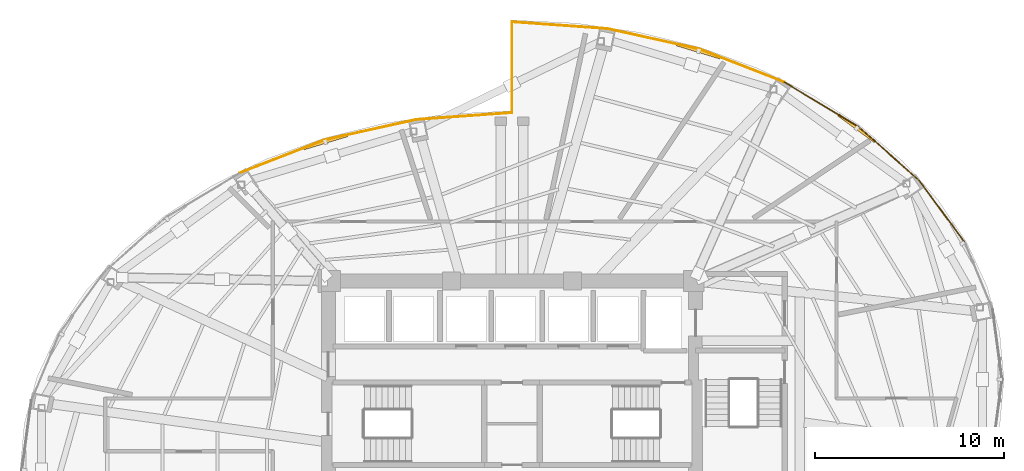
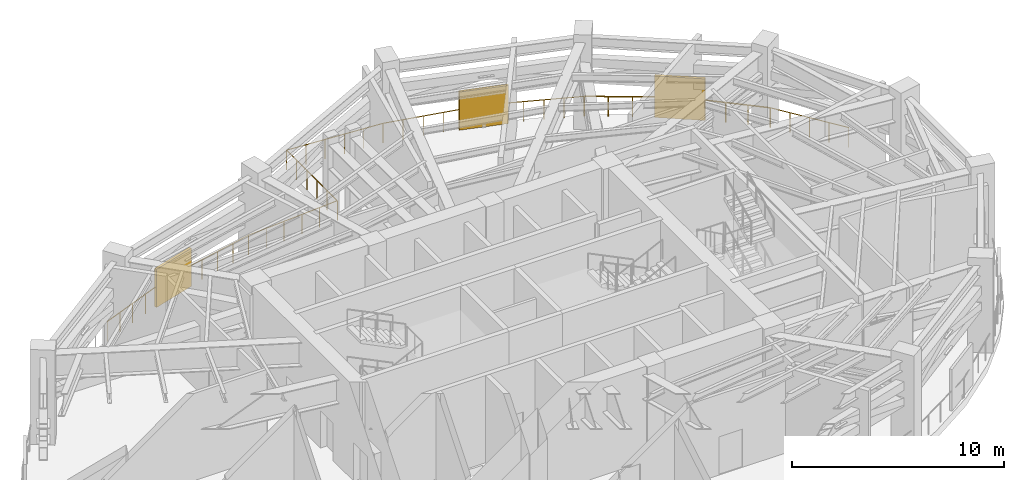
# One storey, part 12 of 12: 10 railings, 3 shading devices.
"""IFC4 building model written with IfcOpenShell, lengths in metres."""

import ifcopenshell
import ifcopenshell.guid

model = None  # the IFC model being written
_history = None  # IfcOwnerHistory: only IFC2X3 demands one
_inside = {}  # id of a spatial element -> (the spatial element, [elements in it])
_under = {}  # id of a project, library or spatial element -> (it, [spatial elements below it])
_declared = {}  # id of a project -> (the project, [libraries it declares])
_typed = {}  # id of a type object -> (the type object, [elements of that type])
_made_of = {}  # id of a material, layer set ... -> (it, [elements and type objects made of it])


def new_model(schema):
    """Start an empty IFC model of exactly this schema.

    Asked for "IFC4X3", IfcOpenShell would pick the latest addendum, in which some entities
    have other attributes; the version numbers below select the first issue.
    IFC2X3 requires an IfcOwnerHistory on every rooted entity: one is made here for all.
    """
    global model, _history
    if schema == "IFC4X3":
        model = ifcopenshell.file(schema_version=(4, 3, 0, 0))
    else:
        model = ifcopenshell.file(schema=schema)
    _inside.clear()
    _under.clear()
    _declared.clear()
    _typed.clear()
    _made_of.clear()
    _history = None
    if model.schema == "IFC2X3":
        org = make("IfcOrganization", Name="unknown")
        user = make(
            "IfcPersonAndOrganization",
            ThePerson=make("IfcPerson", FamilyName="unknown"),
            TheOrganization=org,
        )
        app = make(
            "IfcApplication",
            ApplicationDeveloper=org,
            Version="unknown",
            ApplicationFullName="unknown",
            ApplicationIdentifier="unknown",
        )
        _history = make(
            "IfcOwnerHistory",
            OwningUser=user,
            OwningApplication=app,
            ChangeAction="ADDED",
            CreationDate=0,
        )
    return model


def make(cls, **values):
    """One entity of the class cls with the attributes given. An attribute that is None is left unset."""
    return model.create_entity(
        cls, **{name: value for name, value in values.items() if value is not None}
    )


def rooted(cls, **values):
    """An entity with a GlobalId (a new one), such as an element, a storey or a relation."""
    return make(cls, GlobalId=ifcopenshell.guid.new(), OwnerHistory=_history, **values)


def si_unit(unit_type, name, prefix=None):
    """IfcSIUnit, for example si_unit("LENGTHUNIT", "METRE", prefix="MILLI")."""
    return make("IfcSIUnit", UnitType=unit_type, Prefix=prefix, Name=name)


def assignment(units):
    """IfcUnitAssignment: the units of a project."""
    return None if units is None else make("IfcUnitAssignment", Units=units)


def point(xyz):
    """IfcCartesianPoint."""
    return None if xyz is None else make("IfcCartesianPoint", Coordinates=xyz)


def direction(xyz):
    """IfcDirection."""
    return None if xyz is None else make("IfcDirection", DirectionRatios=xyz)


def frame(location, z_axis=None, x_axis=None):
    """IfcAxis2Placement3D, a coordinate frame: its origin and axes. An axis left out is left unset."""
    return make(
        "IfcAxis2Placement3D",
        Location=point(location),
        Axis=direction(z_axis),
        RefDirection=direction(x_axis),
    )


def frame_2d(location, x_axis=None):
    """IfcAxis2Placement2D, a coordinate frame in the plane: its origin and x axis."""
    return make(
        "IfcAxis2Placement2D", Location=point(location), RefDirection=direction(x_axis)
    )


def origin():
    """The frame at (0, 0, 0) with its axes left unset."""
    return frame((0.0, 0.0, 0.0))


def origin_2d():
    """The frame at (0, 0) in the plane with its x axis left unset."""
    return frame_2d((0.0, 0.0))


def place(relative_to, where):
    """IfcLocalPlacement: puts the frame where relative to a parent placement (None: the world)."""
    return make(
        "IfcLocalPlacement", PlacementRelTo=relative_to, RelativePlacement=where
    )


def context(
    kind, dimensions, precision=None, world=None, true_north=None, identifier=None
):
    """IfcGeometricRepresentationContext, for example the 3D "Model" context."""
    return make(
        "IfcGeometricRepresentationContext",
        ContextIdentifier=identifier,
        ContextType=kind,
        CoordinateSpaceDimension=dimensions,
        Precision=precision,
        WorldCoordinateSystem=world,
        TrueNorth=true_north,
    )


def subcontext(parent, identifier, kind, view, scale=None):
    """IfcGeometricRepresentationSubContext, for example "Body" below "Model"."""
    return make(
        "IfcGeometricRepresentationSubContext",
        ContextIdentifier=identifier,
        ContextType=kind,
        ParentContext=parent,
        TargetScale=scale,
        TargetView=view,
    )


def project(units=None, contexts=None):
    """IfcProject with its units and contexts."""
    return rooted(
        "IfcProject",
        Name="project",
        RepresentationContexts=contexts,
        UnitsInContext=assignment(units),
    )


def spatial(cls, under=None, at=None, **own):
    """A site, building, storey or space (cls), placed at a placement, below another one or the project."""
    s = rooted(cls, ObjectPlacement=at, **own)
    if under is not None:
        _under.setdefault(under.id(), (under, []))[1].append(s)
    return s


def profile(cls, at=None, kind="AREA", **sizes):
    """A parametric profile (cls). Its sizes go by their IFC names, for example OverallWidth=200.0."""
    return make(cls, ProfileType=kind, Position=at, **sizes)


def rectangle(**sizes):
    """IfcRectangleProfileDef."""
    return profile("IfcRectangleProfileDef", **sizes)


def circle(**sizes):
    """IfcCircleProfileDef."""
    return profile("IfcCircleProfileDef", **sizes)


def extrude(swept, where, along, depth):
    """IfcExtrudedAreaSolid: the profile swept, set in the frame where, extruded along a direction by depth."""
    return make(
        "IfcExtrudedAreaSolid",
        SweptArea=swept,
        Position=where,
        ExtrudedDirection=direction(along),
        Depth=depth,
    )


def shape(context_of_items, identifier, shape_type, items):
    """IfcShapeRepresentation: the items that make up one representation, for example the "Body"."""
    return make(
        "IfcShapeRepresentation",
        ContextOfItems=context_of_items,
        RepresentationIdentifier=identifier,
        RepresentationType=shape_type,
        Items=items,
    )


def material(Name=None, Category=None):
    """IfcMaterial."""
    return make("IfcMaterial", Name=Name, Category=Category)


def made_of(thing, what):
    """Note that an element or type object is made of a material, layer set ...; save() writes the relation."""
    if what is not None:
        _made_of.setdefault(what.id(), (what, []))[1].append(thing)
    return thing


def type_object(cls, material=None, **own):
    """A type object (cls), such as IfcWallType, which elements share."""
    return made_of(rooted(cls, **own), material)


def element(
    cls,
    number,
    at=None,
    inside=None,
    cuts=None,
    type_object=None,
    material=None,
    context=None,
    identifier="Body",
    shape_type=None,
    held_by="IfcProductDefinitionShape",
    body=None,
    shapes=None,
    **own,
):
    """One element of the class cls, such as IfcWall. Its Tag is "e" and its number.

    at: its placement. inside: the storey or other place that contains it. cuts: it is an
    opening in that element (IfcRelVoidsElement). A single representation is given by context,
    identifier, shape_type and body (its items); several are given by shapes. held_by: the class
    of the entity that holds the representations. save() writes the other relations.
    """
    e = rooted(cls, Tag="e%d" % number, ObjectPlacement=at, **own)
    if body is not None:
        shapes = [shape(context, identifier, shape_type, body)]
    if shapes is not None:
        e.Representation = make(held_by, Representations=shapes)
    if inside is not None:
        _inside.setdefault(inside.id(), (inside, []))[1].append(e)
    if cuts is not None:
        rooted(
            "IfcRelVoidsElement", RelatingBuildingElement=cuts, RelatedOpeningElement=e
        )
    if type_object is not None:
        _typed.setdefault(type_object.id(), (type_object, []))[1].append(e)
    return made_of(e, material)


def aggregate(whole, parts):
    """IfcRelAggregates: a whole, such as a stair, and the parts it consists of."""
    return rooted("IfcRelAggregates", RelatingObject=whole, RelatedObjects=parts)


def save(model, path):
    """Write the relations noted so far, then the file.

    IfcRelAggregates (storeys below a building ...), IfcRelContainedInSpatialStructure (elements
    in a storey), IfcRelDefinesByType, IfcRelAssociatesMaterial and IfcRelDeclares: one each for
    every whole, place, type object, material and project.
    """
    for whole, parts in _under.values():
        aggregate(whole, parts)
    for where, things in _inside.values():
        rooted(
            "IfcRelContainedInSpatialStructure",
            RelatedElements=things,
            RelatingStructure=where,
        )
    for kind, things in _typed.values():
        rooted("IfcRelDefinesByType", RelatedObjects=things, RelatingType=kind)
    for what, things in _made_of.values():
        rooted("IfcRelAssociatesMaterial", RelatedObjects=things, RelatingMaterial=what)
    for by, libraries in _declared.values():
        rooted("IfcRelDeclares", RelatingContext=by, RelatedDefinitions=libraries)
    model.write(path)


model = new_model("IFC4")

# Units and contexts
model_context = context("Model", 3, precision=1e-05, world=origin(), true_north=direction((0.0, 1.0)))
body_context = subcontext(model_context, "Body", "Model", "MODEL_VIEW")
ifc_project = project(units=[si_unit("LENGTHUNIT", "METRE"), si_unit("AREAUNIT", "SQUARE_METRE"), si_unit("VOLUMEUNIT", "CUBIC_METRE"), si_unit("PLANEANGLEUNIT", "RADIAN"), si_unit("MASSUNIT", "GRAM", prefix="KILO")], contexts=[model_context])

# Site, building, storey
site_placement = place(None, origin())
site = spatial("IfcSite", under=ifc_project, at=site_placement, CompositionType="ELEMENT")
building_placement = place(site_placement, origin())
building = spatial("IfcBuilding", under=site, at=building_placement, Name="Lazwardi Medical Tower", CompositionType="ELEMENT")
storey_placement = place(building_placement, frame((0.0, 0.0, 132.81591796875)))
storey = spatial("IfcBuildingStorey", under=building, at=storey_placement, Name="L34", CompositionType="ELEMENT", Elevation=132.81591796875)

# Railings
ifc_material_1 = material(Name="Anodised bronze aluminium", Category="aluminium")
railing_type = type_object("IfcRailingType", Name="RLG-BAL-1100", PredefinedType="BALUSTRADE", material=ifc_material_1)
railing_1_placement = place(storey_placement, frame((59.928466796875, 37.6328125, 0.0)))
element("IfcRailing", 1, at=railing_1_placement, inside=storey, type_object=railing_type, Name="L34 Refuge Band Perimeter Balustrade 11", PredefinedType="BALUSTRADE", context=body_context, shape_type="SweptSolid", body=[
    extrude(circle(Radius=0.02392578125, at=origin_2d()), frame((0.0, 0.0, 1.1259765625), z_axis=(-0.590895807356, 0.806747881837, 0.0), x_axis=(-0.806747881837, -0.590895807356, 0.0)), (0.0, 0.0, 1.0), 4.05029296875),
    extrude(circle(Radius=0.02099609375, at=origin_2d()), origin(), (0.0, 0.0, 1.0), 1.099853515625),
    extrude(circle(Radius=0.02099609375, at=origin_2d()), frame((-0.598388671875, 0.81689453125, 0.0)), (0.0, 0.0, 1.0), 1.099853515625),
    extrude(circle(Radius=0.02099609375, at=origin_2d()), frame((-1.19677734375, 1.6337890625, 0.0)), (0.0, 0.0, 1.0), 1.099853515625),
    extrude(circle(Radius=0.02099609375, at=origin_2d()), frame((-1.794921875, 2.45068359375, 0.0)), (0.0, 0.0, 1.0), 1.099853515625),
    extrude(circle(Radius=0.02099609375, at=origin_2d()), frame((-2.393310546875, 3.267578125, 0.0)), (0.0, 0.0, 1.0), 1.099853515625),
])
railing_2_placement = place(storey_placement, frame((57.53515625, 40.900390625, 0.0)))
element("IfcRailing", 2, at=railing_2_placement, inside=storey, type_object=railing_type, Name="L34 Refuge Band Perimeter Balustrade 12", PredefinedType="BALUSTRADE", context=body_context, shape_type="SweptSolid", body=[
    extrude(circle(Radius=0.02392578125, at=origin_2d()), frame((0.0, 0.0, 1.1259765625), z_axis=(-0.747299927675, 0.664486883314, 0.0), x_axis=(-0.664486883314, -0.747299927675, 0.0)), (0.0, 0.0, 1.0), 4.31005859375),
    extrude(circle(Radius=0.02099609375, at=origin_2d()), origin(), (0.0, 0.0, 1.0), 1.099853515625),
    extrude(circle(Radius=0.02099609375, at=origin_2d()), frame((-0.80517578125, 0.716064453125, 0.0)), (0.0, 0.0, 1.0), 1.099853515625),
    extrude(circle(Radius=0.02099609375, at=origin_2d()), frame((-1.6103515625, 1.43212890625, 0.0)), (0.0, 0.0, 1.0), 1.099853515625),
    extrude(circle(Radius=0.02099609375, at=origin_2d()), frame((-2.415771484375, 2.14794921875, 0.0)), (0.0, 0.0, 1.0), 1.099853515625),
    extrude(circle(Radius=0.02099609375, at=origin_2d()), frame((-3.220947265625, 2.864013671875, 0.0)), (0.0, 0.0, 1.0), 1.099853515625),
])
railing_3_placement = place(storey_placement, frame((54.314208984375, 43.764404296875, 0.0)))
element("IfcRailing", 3, at=railing_3_placement, inside=storey, type_object=railing_type, Name="L34 Refuge Band Perimeter Balustrade 13", PredefinedType="BALUSTRADE", context=body_context, shape_type="SweptSolid", body=[
    extrude(circle(Radius=0.02392578125, at=origin_2d()), frame((0.0, 0.0, 1.1259765625), z_axis=(-0.857930539763, 0.513765694594, 0.0), x_axis=(-0.513765694594, -0.857930539763, 0.0)), (0.0, 0.0, 1.0), 4.57470703125),
    extrude(circle(Radius=0.02099609375, at=origin_2d()), origin(), (0.0, 0.0, 1.0), 1.099853515625),
    extrude(circle(Radius=0.02099609375, at=origin_2d()), frame((-0.981201171875, 0.587646484375, 0.0)), (0.0, 0.0, 1.0), 1.099853515625),
    extrude(circle(Radius=0.02099609375, at=origin_2d()), frame((-1.96240234375, 1.17529296875, 0.0)), (0.0, 0.0, 1.0), 1.099853515625),
    extrude(circle(Radius=0.02099609375, at=origin_2d()), frame((-2.943603515625, 1.7626953125, 0.0)), (0.0, 0.0, 1.0), 1.099853515625),
    extrude(circle(Radius=0.02099609375, at=origin_2d()), frame((-3.9248046875, 2.350341796875, 0.0)), (0.0, 0.0, 1.0), 1.099853515625),
])
railing_4_placement = place(storey_placement, frame((50.389404296875, 46.11474609375, 0.0)))
element("IfcRailing", 4, at=railing_4_placement, inside=storey, type_object=railing_type, Name="L34 Refuge Band Perimeter Balustrade 14", PredefinedType="BALUSTRADE", context=body_context, shape_type="SweptSolid", body=[
    extrude(circle(Radius=0.02392578125, at=origin_2d()), frame((0.0, 0.0, 1.1259765625), z_axis=(-0.93163718725, 0.363389806313, 0.0), x_axis=(-0.363389806313, -0.93163718725, 0.0)), (0.0, 0.0, 1.0), 4.806396484375),
    extrude(circle(Radius=0.02099609375, at=origin_2d()), origin(), (0.0, 0.0, 1.0), 1.099853515625),
    extrude(circle(Radius=0.02099609375, at=origin_2d()), frame((-0.8955078125, 0.349365234375, 0.0)), (0.0, 0.0, 1.0), 1.099853515625),
    extrude(circle(Radius=0.02099609375, at=origin_2d()), frame((-1.791015625, 0.69873046875, 0.0)), (0.0, 0.0, 1.0), 1.099853515625),
    extrude(circle(Radius=0.02099609375, at=origin_2d()), frame((-2.686767578125, 1.0478515625, 0.0)), (0.0, 0.0, 1.0), 1.099853515625),
    extrude(circle(Radius=0.02099609375, at=origin_2d()), frame((-3.582275390625, 1.397216796875, 0.0)), (0.0, 0.0, 1.0), 1.099853515625),
    extrude(circle(Radius=0.02099609375, at=origin_2d()), frame((-4.477783203125, 1.74658203125, 0.0)), (0.0, 0.0, 1.0), 1.099853515625),
])
railing_5_placement = place(storey_placement, frame((45.91162109375, 47.861328125, 0.0)))
element("IfcRailing", 5, at=railing_5_placement, inside=storey, type_object=railing_type, Name="L34 Refuge Band Perimeter Balustrade 15", PredefinedType="BALUSTRADE", context=body_context, shape_type="SweptSolid", body=[
    extrude(circle(Radius=0.02392578125, at=origin_2d()), frame((0.0, 0.0, 1.1259765625), z_axis=(-0.976370248797, 0.216104459147, 0.0), x_axis=(-0.216104459147, -0.976370248797, 0.0)), (0.0, 0.0, 1.0), 4.9765625),
    extrude(circle(Radius=0.02099609375, at=origin_2d()), origin(), (0.0, 0.0, 1.0), 1.099853515625),
    extrude(circle(Radius=0.02099609375, at=origin_2d()), frame((-0.9716796875, 0.215087890625, 0.0)), (0.0, 0.0, 1.0), 1.099853515625),
    extrude(circle(Radius=0.02099609375, at=origin_2d()), frame((-1.943603515625, 0.43017578125, 0.0)), (0.0, 0.0, 1.0), 1.099853515625),
    extrude(circle(Radius=0.02099609375, at=origin_2d()), frame((-2.915283203125, 0.645263671875, 0.0)), (0.0, 0.0, 1.0), 1.099853515625),
    extrude(circle(Radius=0.02099609375, at=origin_2d()), frame((-3.88720703125, 0.8603515625, 0.0)), (0.0, 0.0, 1.0), 1.099853515625),
    extrude(circle(Radius=0.02099609375, at=origin_2d()), frame((-4.85888671875, 1.075439453125, 0.0)), (0.0, 0.0, 1.0), 1.099853515625),
])
railing_6_placement = place(storey_placement, frame((41.052734375, 48.936767578125, 0.0)))
element("IfcRailing", 6, at=railing_6_placement, inside=storey, type_object=railing_type, Name="L34 Refuge Band Perimeter Balustrade 16", PredefinedType="BALUSTRADE", context=body_context, shape_type="SweptSolid", body=[
    extrude(circle(Radius=0.02392578125, at=origin_2d()), frame((0.0, 0.0, 1.1259765625), z_axis=(-0.997425320011, 0.071712837078, 0.0), x_axis=(-0.071712837078, -0.997425320011, 0.0)), (0.0, 0.0, 1.0), 5.065673828125),
    extrude(circle(Radius=0.02099609375, at=origin_2d()), origin(), (0.0, 0.0, 1.0), 1.099853515625),
    extrude(circle(Radius=0.02099609375, at=origin_2d()), frame((-1.010498046875, 0.07275390625, 0.0)), (0.0, 0.0, 1.0), 1.099853515625),
    extrude(circle(Radius=0.02099609375, at=origin_2d()), frame((-2.02099609375, 0.145263671875, 0.0)), (0.0, 0.0, 1.0), 1.099853515625),
    extrude(circle(Radius=0.02099609375, at=origin_2d()), frame((-3.03173828125, 0.218017578125, 0.0)), (0.0, 0.0, 1.0), 1.099853515625),
    extrude(circle(Radius=0.02099609375, at=origin_2d()), frame((-4.042236328125, 0.29052734375, 0.0)), (0.0, 0.0, 1.0), 1.099853515625),
    extrude(circle(Radius=0.02099609375, at=origin_2d()), frame((-5.052734375, 0.36328125, 0.0)), (0.0, 0.0, 1.0), 1.099853515625),
])
railing_7_placement = place(storey_placement, frame((36.0, 49.300048828125, 0.0)))
element("IfcRailing", 7, at=railing_7_placement, inside=storey, type_object=railing_type, Name="L34 Refuge Band Perimeter Balustrade 17", PredefinedType="BALUSTRADE", context=body_context, shape_type="SweptSolid", body=[
    extrude(circle(Radius=0.02392578125, at=origin_2d()), frame((0.0, 0.0, 1.1259765625), z_axis=(0.0, -1.0, 0.0), x_axis=(1.0, 0.0, 0.0)), (0.0, 0.0, 1.0), 4.800048828125),
    extrude(circle(Radius=0.02099609375, at=origin_2d()), origin(), (0.0, 0.0, 1.0), 1.099853515625),
    extrude(circle(Radius=0.02099609375, at=origin_2d()), frame((0.0, -0.9599609375, 0.0)), (0.0, 0.0, 1.0), 1.099853515625),
    extrude(circle(Radius=0.02099609375, at=origin_2d()), frame((0.0, -1.919921875, 0.0)), (0.0, 0.0, 1.0), 1.099853515625),
    extrude(circle(Radius=0.02099609375, at=origin_2d()), frame((0.0, -2.880126953125, 0.0)), (0.0, 0.0, 1.0), 1.099853515625),
    extrude(circle(Radius=0.02099609375, at=origin_2d()), frame((0.0, -3.840087890625, 0.0)), (0.0, 0.0, 1.0), 1.099853515625),
    extrude(circle(Radius=0.02099609375, at=origin_2d()), frame((0.0, -4.800048828125, 0.0)), (0.0, 0.0, 1.0), 1.099853515625),
])
railing_8_placement = place(storey_placement, frame((36.0, 44.5, 0.0)))
element("IfcRailing", 8, at=railing_8_placement, inside=storey, type_object=railing_type, Name="L34 Refuge Band Perimeter Balustrade 18", PredefinedType="BALUSTRADE", context=body_context, shape_type="SweptSolid", body=[
    extrude(circle(Radius=0.02392578125, at=origin_2d()), frame((0.0, 0.0, 1.1259765625), z_axis=(-0.997425320011, -0.071712837078, 0.0), x_axis=(0.071712837078, -0.997425320011, 0.0)), (0.0, 0.0, 1.0), 5.065673828125),
    extrude(circle(Radius=0.02099609375, at=origin_2d()), origin(), (0.0, 0.0, 1.0), 1.099853515625),
    extrude(circle(Radius=0.02099609375, at=origin_2d()), frame((-1.010498046875, -0.07275390625, 0.0)), (0.0, 0.0, 1.0), 1.099853515625),
    extrude(circle(Radius=0.02099609375, at=origin_2d()), frame((-2.02099609375, -0.145263671875, 0.0)), (0.0, 0.0, 1.0), 1.099853515625),
    extrude(circle(Radius=0.02099609375, at=origin_2d()), frame((-3.03173828125, -0.218017578125, 0.0)), (0.0, 0.0, 1.0), 1.099853515625),
    extrude(circle(Radius=0.02099609375, at=origin_2d()), frame((-4.042236328125, -0.29052734375, 0.0)), (0.0, 0.0, 1.0), 1.099853515625),
    extrude(circle(Radius=0.02099609375, at=origin_2d()), frame((-5.052734375, -0.36328125, 0.0)), (0.0, 0.0, 1.0), 1.099853515625),
])
railing_9_placement = place(storey_placement, frame((30.947265625, 44.13671875, 0.0)))
element("IfcRailing", 9, at=railing_9_placement, inside=storey, type_object=railing_type, Name="L34 Refuge Band Perimeter Balustrade 19", PredefinedType="BALUSTRADE", context=body_context, shape_type="SweptSolid", body=[
    extrude(circle(Radius=0.02392578125, at=origin_2d()), frame((0.0, 0.0, 1.1259765625), z_axis=(-0.976370248797, -0.216104459147, 0.0), x_axis=(0.216104459147, -0.976370248797, 0.0)), (0.0, 0.0, 1.0), 4.9765625),
    extrude(circle(Radius=0.02099609375, at=origin_2d()), origin(), (0.0, 0.0, 1.0), 1.099853515625),
    extrude(circle(Radius=0.02099609375, at=origin_2d()), frame((-0.9716796875, -0.215087890625, 0.0)), (0.0, 0.0, 1.0), 1.099853515625),
    extrude(circle(Radius=0.02099609375, at=origin_2d()), frame((-1.943603515625, -0.43017578125, 0.0)), (0.0, 0.0, 1.0), 1.099853515625),
    extrude(circle(Radius=0.02099609375, at=origin_2d()), frame((-2.915283203125, -0.645263671875, 0.0)), (0.0, 0.0, 1.0), 1.099853515625),
    extrude(circle(Radius=0.02099609375, at=origin_2d()), frame((-3.88720703125, -0.8603515625, 0.0)), (0.0, 0.0, 1.0), 1.099853515625),
    extrude(circle(Radius=0.02099609375, at=origin_2d()), frame((-4.85888671875, -1.075439453125, 0.0)), (0.0, 0.0, 1.0), 1.099853515625),
])
railing_10_placement = place(storey_placement, frame((26.08837890625, 43.061279296875, 0.0)))
element("IfcRailing", 10, at=railing_10_placement, inside=storey, type_object=railing_type, Name="L34 Refuge Band Perimeter Balustrade 20", PredefinedType="BALUSTRADE", context=body_context, shape_type="SweptSolid", body=[
    extrude(circle(Radius=0.02392578125, at=origin_2d()), frame((0.0, 0.0, 1.1259765625), z_axis=(-0.93163718725, -0.363389806313, 0.0), x_axis=(0.363389806313, -0.93163718725, 0.0)), (0.0, 0.0, 1.0), 4.806396484375),
    extrude(circle(Radius=0.02099609375, at=origin_2d()), origin(), (0.0, 0.0, 1.0), 1.099853515625),
    extrude(circle(Radius=0.02099609375, at=origin_2d()), frame((-0.8955078125, -0.349365234375, 0.0)), (0.0, 0.0, 1.0), 1.099853515625),
    extrude(circle(Radius=0.02099609375, at=origin_2d()), frame((-1.791015625, -0.69873046875, 0.0)), (0.0, 0.0, 1.0), 1.099853515625),
    extrude(circle(Radius=0.02099609375, at=origin_2d()), frame((-2.686767578125, -1.0478515625, 0.0)), (0.0, 0.0, 1.0), 1.099853515625),
    extrude(circle(Radius=0.02099609375, at=origin_2d()), frame((-3.582275390625, -1.397216796875, 0.0)), (0.0, 0.0, 1.0), 1.099853515625),
    extrude(circle(Radius=0.02099609375, at=origin_2d()), frame((-4.477783203125, -1.74658203125, 0.0)), (0.0, 0.0, 1.0), 1.099853515625),
])

# Shading devices
ifc_material_2 = material(Name="Anodised bronze aluminium storm louvre", Category="aluminium")
shading_device_type_1 = type_object("IfcShadingDeviceType", Name="SHD-LVR-01", PredefinedType="JALOUSIE", material=ifc_material_2)
for number, where, z_axis, x_axis, name in (
    (11, (45.85791015625, 47.752197265625, 0.0), (0.0, 0.0, 1.0), (-0.957299316973, 0.289098629749, 0.0), "L34 Tropical Storm Louvre 07"),
    (12, (26.14208984375, 42.9521484375, 0.0), (0.0, 0.0, 1.0), (-0.957299316973, -0.289098629749, 0.0), "L34 Tropical Storm Louvre 09"),
):
    element("IfcShadingDevice", number, at=place(storey_placement, frame(where, z_axis=z_axis, x_axis=x_axis)), inside=storey, type_object=shading_device_type_1, Name=name, PredefinedType="JALOUSIE", context=body_context, shape_type="SweptSolid", body=[
        extrude(rectangle(XDim=2.39990234375, YDim=0.139892578125, at=origin_2d()), origin(), (0.0, 0.0, 1.0), 2.199951171875),
    ])
ifc_material_3 = material(Name="Perforated bronze girih solar screen", Category="aluminium")
shading_device_type_2 = type_object("IfcShadingDeviceType", Name="SHD-SCR-01", PredefinedType="USERDEFINED", material=ifc_material_3)
shading_device_placement = place(storey_placement, frame((54.21533203125, 43.680908203125, 0.000244140625), z_axis=(0.0, 0.0, 1.0), x_axis=(-0.808043354335, 0.589123024091, 0.0)))
element("IfcShadingDevice", 13, at=shading_device_placement, inside=storey, type_object=shading_device_type_2, Name="L34 Bronze Girih Solar Screen 06", ObjectType="SCREEN", PredefinedType="USERDEFINED", context=body_context, shape_type="SweptSolid", body=[
    extrude(rectangle(XDim=2.39990234375, YDim=0.139892578125, at=origin_2d()), origin(), (0.0, 0.0, 1.0), 2.39990234375),
])

save(model, "model.ifc")
